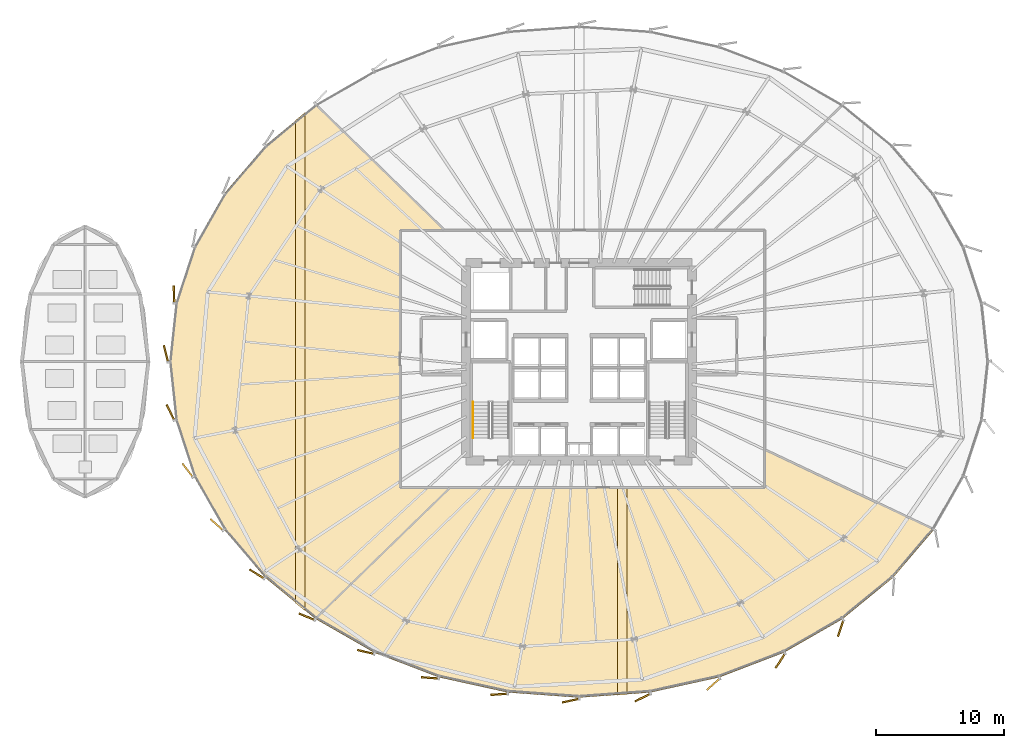
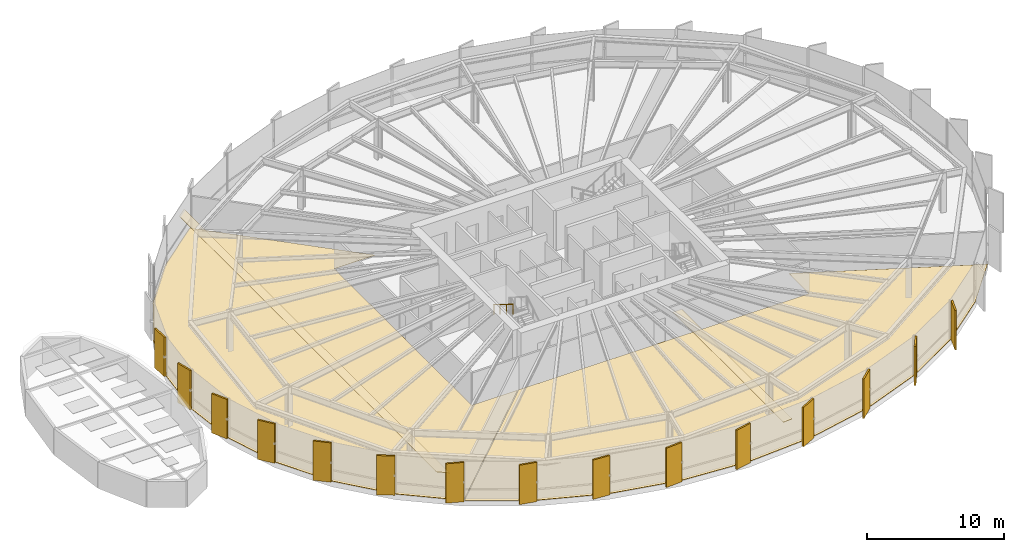
# One storey, part 32 of 38: 19 coverings, 1 railing.
"""IFC4 building model written with IfcOpenShell, lengths in metres."""

from ifc_helpers import new_model, si_unit, direction, frame, origin, origin_2d, place, context, subcontext, project, spatial, polyline, rectangle, circle, outline, extrude, source, transform, mapped, material, layer, layer_set, type_object, element, save


model = new_model("IFC4")

# Units and contexts
model_context = context("Model", 3, precision=1e-05, world=origin(), true_north=direction((0.0, 1.0)))
body_context = subcontext(model_context, "Body", "Model", "MODEL_VIEW")
ifc_project = project(units=[si_unit("LENGTHUNIT", "METRE"), si_unit("AREAUNIT", "SQUARE_METRE"), si_unit("VOLUMEUNIT", "CUBIC_METRE"), si_unit("PLANEANGLEUNIT", "RADIAN"), si_unit("MASSUNIT", "GRAM", prefix="KILO"), si_unit("THERMODYNAMICTEMPERATUREUNIT", "KELVIN")], contexts=[model_context])

# Site, building, storey
site_placement = place(None, origin())
site = spatial("IfcSite", under=ifc_project, at=site_placement, CompositionType="ELEMENT")
building_placement = place(site_placement, origin())
building = spatial("IfcBuilding", under=site, at=building_placement, Name="Kethvar Cultural Tower", CompositionType="ELEMENT")
storey_placement = place(building_placement, frame((0.0, 0.0, 29.60009765625)))
storey = spatial("IfcBuildingStorey", under=building, at=storey_placement, Name="L06", CompositionType="ELEMENT", Elevation=29.60009765625)

# Coverings
ifc_material_1 = material(Name="Acoustic Mineral Fibre Ceiling")
ifc_layer_1 = layer(ifc_material_1, 0.0400390625, Name="Acoustic Mineral Fibre Ceiling")
ifc_layer_set_1 = layer_set([ifc_layer_1], Name="Acoustic Mineral Fibre Ceiling (40 mm)")
covering_type_1 = type_object("IfcCoveringType", Name="CV-ACOUSTIC-CEIL", PredefinedType="CEILING", material=ifc_layer_set_1)
covering_1_placement = place(storey_placement, frame((0.0, 0.0, 2.33984375)))
element("IfcCovering", 1, at=covering_1_placement, inside=storey, type_object=covering_type_1, Name="L06 Room 01 Acoustic Ceiling Panel", PredefinedType="CEILING", context=body_context, shape_type="SweptSolid", body=[
    extrude(outline(polyline([(49.79443359375, 1.794677734375), (49.79443359375, 18.0), (50.54443359375, 18.0), (50.54443359375, 1.848388671875), (49.79443359375, 1.794677734375)])), origin(), (0.0, 0.0, 1.0), 0.0400390625),
])
covering_2_placement = place(storey_placement, frame((0.0, 0.0, 2.33984375)))
element("IfcCovering", 2, at=covering_2_placement, inside=storey, type_object=covering_type_1, Name="L06 Room 04 Acoustic Ceiling Panel", PredefinedType="CEILING", context=body_context, shape_type="SweptSolid", body=[
    extrude(outline(polyline([(25.43408203125, 47.221923828125), (25.43408203125, 8.3779296875), (24.68408203125, 8.992919921875), (24.68408203125, 46.607177734375), (25.43408203125, 47.221923828125)])), origin(), (0.0, 0.0, 1.0), 0.0400390625),
])
ifc_material_2 = material(Name="Architectural Oak Timber", Category="wood")
ifc_layer_2 = layer(ifc_material_2, 0.02490234375, Name="Architectural Oak Timber", Category="wood")
ifc_layer_set_2 = layer_set([ifc_layer_2], Name="Architectural Oak Timber (25 mm)")
covering_type_2 = type_object("IfcCoveringType", Name="CV-OAK-FLOOR", PredefinedType="FLOORING", material=ifc_layer_set_2)
covering_3_placement = place(storey_placement, origin())
element("IfcCovering", 3, at=covering_3_placement, inside=storey, type_object=covering_type_2, Name="L06 Room 01 Floor Finish", PredefinedType="FLOORING", context=body_context, shape_type="SweptSolid", body=[
    extrude(outline(polyline([(74.446044921875, 14.693115234375), (71.268798828125, 10.973388671875), (67.33203125, 7.74609375), (62.771484375, 5.128173828125), (57.725341796875, 3.19921875), (52.346923828125, 2.017822265625), (46.800048828125, 1.6201171875), (41.253173828125, 2.017822265625), (35.874755859375, 3.19921875), (30.82861328125, 5.128173828125), (26.289306640625, 7.73388671875), (36.756591796875, 17.9599609375), (61.27197265625, 17.960205078125), (61.2900390625, 20.919921875), (74.446044921875, 14.693115234375)])), origin(), (0.0, 0.0, 1.0), 0.02490234375),
])
covering_4_placement = place(storey_placement, origin())
element("IfcCovering", 4, at=covering_4_placement, inside=storey, type_object=covering_type_2, Name="L06 Room 04 Floor Finish", PredefinedType="FLOORING", context=body_context, shape_type="SweptSolid", body=[
    extrude(outline(polyline([(22.331298828125, 10.973388671875), (19.13818359375, 14.71142578125), (16.785888671875, 18.84716796875), (15.34521484375, 23.254638671875), (14.860107421875, 27.800048828125), (15.34521484375, 32.345458984375), (16.785888671875, 36.752685546875), (19.13818359375, 40.888427734375), (22.331298828125, 44.626708984375), (26.25537109375, 47.843505859375), (36.26953125, 38.06005859375), (32.830322265625, 38.0439453125), (32.830078125, 17.97998046875), (36.699462890625, 17.9599609375), (26.25537109375, 7.75634765625), (22.331298828125, 10.973388671875)])), origin(), (0.0, 0.0, 1.0), 0.02490234375),
])

# Railing
ifc_material_3 = material(Name="Steel S355J2", Category="steel")
railing_type = type_object("IfcRailingType", Name="RL-STAIR-HANDRAIL", PredefinedType="HANDRAIL", material=ifc_material_3)
railing_placement = place(storey_placement, frame((38.5400390625, 24.64990234375, 2.072509765625)))
element("IfcRailing", 5, at=railing_placement, inside=storey, type_object=railing_type, Name="L06 ST-01 stair handrail 2", PredefinedType="HANDRAIL", context=body_context, shape_type="SweptSolid", body=[
    extrude(circle(Radius=0.02392578125, at=origin_2d()), frame((0.0, 0.0, 0.8759765625), z_axis=(0.0, -0.851069175582, 0.525053576669), x_axis=(1.0, 0.0, 0.0)), (0.0, 0.0, 1.0), 3.289794921875),
    extrude(circle(Radius=0.02099609375, at=origin_2d()), origin(), (0.0, 0.0, 1.0), 0.851806640625),
    extrude(circle(Radius=0.02099609375, at=origin_2d()), frame((0.0, -0.933349609375, 0.57568359375)), (0.0, 0.0, 1.0), 0.851806640625),
    extrude(circle(Radius=0.02099609375, at=origin_2d()), frame((0.0, -1.866455078125, 1.151611328125)), (0.0, 0.0, 1.0), 0.851806640625),
    extrude(circle(Radius=0.02099609375, at=origin_2d()), frame((0.0, -2.7998046875, 1.727294921875)), (0.0, 0.0, 1.0), 0.851806640625),
])

# Coverings
ifc_material_4 = material(Name="Extruded Architectural Terracotta", Category="masonry")
ifc_layer_3 = layer(ifc_material_4, 0.135009765625, Name="Extruded Architectural Terracotta", Category="masonry")
ifc_layer_set_3 = layer_set([ifc_layer_3], Name="Extruded Architectural Terracotta (135 mm)")
covering_type_3 = type_object("IfcCoveringType", Name="Terracotta Facade Fin FIN-01", PredefinedType="CLADDING", material=ifc_layer_set_3)
shared_shape = source(origin(), body_context, "Body", "SweptSolid", [
    extrude(rectangle(XDim=1.35009765625, YDim=0.135009765625, at=origin_2d()), origin(), (0.0, 0.0, 1.0), 3.510009765625),
])
for number, where, z_axis, x_axis, name in (
    (6, (15.223388671875, 33.03271484375, 0.02001953125), (0.0, 0.0, 1.0), (-0.033329614852, 0.999444414049, 0.0), "L06 Vertical Terracotta Fin 3.6"),
    (7, (14.6005859375, 28.404296875, 0.02001953125), (0.0, 0.0, 1.0), (-0.243445733477, 0.969914519353, 0.0), "L06 Vertical Terracotta Fin 4.1"),
    (8, (14.952392578125, 23.831787109375, 0.02001953125), (0.0, 0.0, 1.0), (-0.439939169856, 0.898027575761, 0.0), "L06 Vertical Terracotta Fin 4.2"),
    (9, (16.28564453125, 19.333984375, 0.02001953125), (0.0, 0.0, 1.0), (-0.610559922132, 0.791970063504, 0.0), "L06 Vertical Terracotta Fin 4.3"),
    (10, (18.555419921875, 15.09521484375, 0.02001953125), (0.0, 0.0, 1.0), (-0.748955720789, 0.662620048216, 0.0), "L06 Vertical Terracotta Fin 4.4"),
    (11, (21.68994140625, 11.248291015625, 0.02001953125), (0.0, 0.0, 1.0), (-0.854095929175, 0.520115510024, 0.0), "L06 Vertical Terracotta Fin 4.5"),
    (12, (25.590087890625, 7.91162109375, 0.02001953125), (0.0, 0.0, 1.0), (-0.928096422365, 0.372339939832, 0.0), "L06 Vertical Terracotta Fin 4.6"),
    (13, (30.173095703125, 5.171142578125, 0.02001953125), (0.0, 0.0, 1.0), (-0.974683205815, 0.223590358248, 0.0), "L06 Vertical Terracotta Fin 5.1"),
    (14, (35.1787109375, 3.153564453125, 0.02001953125), (0.0, 0.0, 1.0), (-0.997066127037, 0.076545008426, 0.0), "L06 Vertical Terracotta Fin 5.2"),
    (15, (40.571044921875, 1.872314453125, 0.02001953125), (0.0, 0.0, 1.0), (-0.997684278836, -0.068015290665, 0.0), "L06 Vertical Terracotta Fin 5.3"),
    (16, (46.145751953125, 1.378662109375, 0.02001953125), (0.0, 0.0, 1.0), (-0.977783236759, -0.209618562904, 0.0), "L06 Vertical Terracotta Fin 5.4"),
    (17, (51.762451171875, 1.619384765625, 0.02001953125), (0.0, 0.0, 1.0), (-0.895556498716, -0.444947814477, 0.0), "L06 Vertical Terracotta Fin 5.5"),
    (18, (57.25634765625, 2.655517578125, 0.02001953125), (0.0, 0.0, 1.0), (-0.745708617985, -0.666272209433, 0.0), "L06 Vertical Terracotta Fin 5.6"),
    (19, (62.489990234375, 4.494873046875, 0.02001953125), (0.0, 0.0, 1.0), (-0.542734751581, -0.839904154905, 0.0), "L06 Vertical Terracotta Fin 6.1"),
    (20, (67.185791015625, 7.025634765625, 0.02001953125), (0.0, 0.0, 1.0), (-0.308684994204, -0.951164325631, 0.0), "L06 Vertical Terracotta Fin 6.2"),
):
    element("IfcCovering", number, at=place(storey_placement, frame(where, z_axis=z_axis, x_axis=x_axis)), inside=storey, type_object=covering_type_3, Name=name, PredefinedType="CLADDING", context=body_context, shape_type="MappedRepresentation", body=[
        mapped(shared_shape, transform((0.0, 0.0, 0.0), scale=1.0)),
    ])

save(model, "model.ifc")
